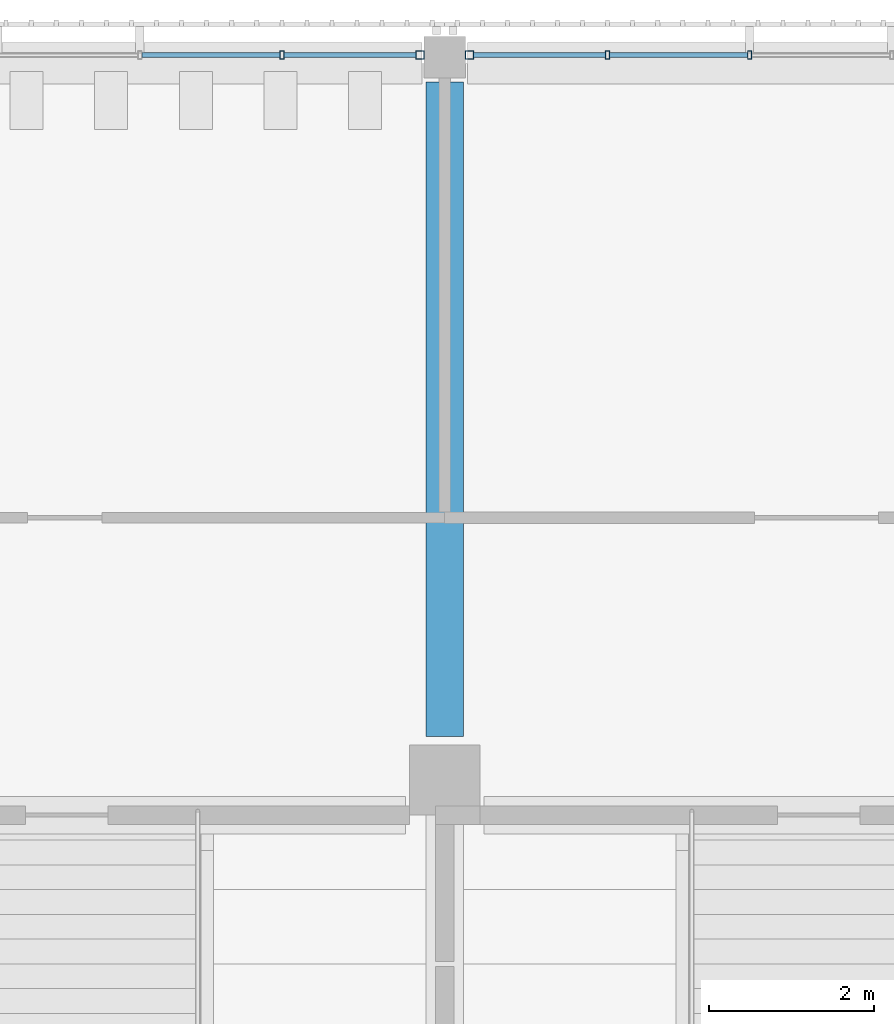
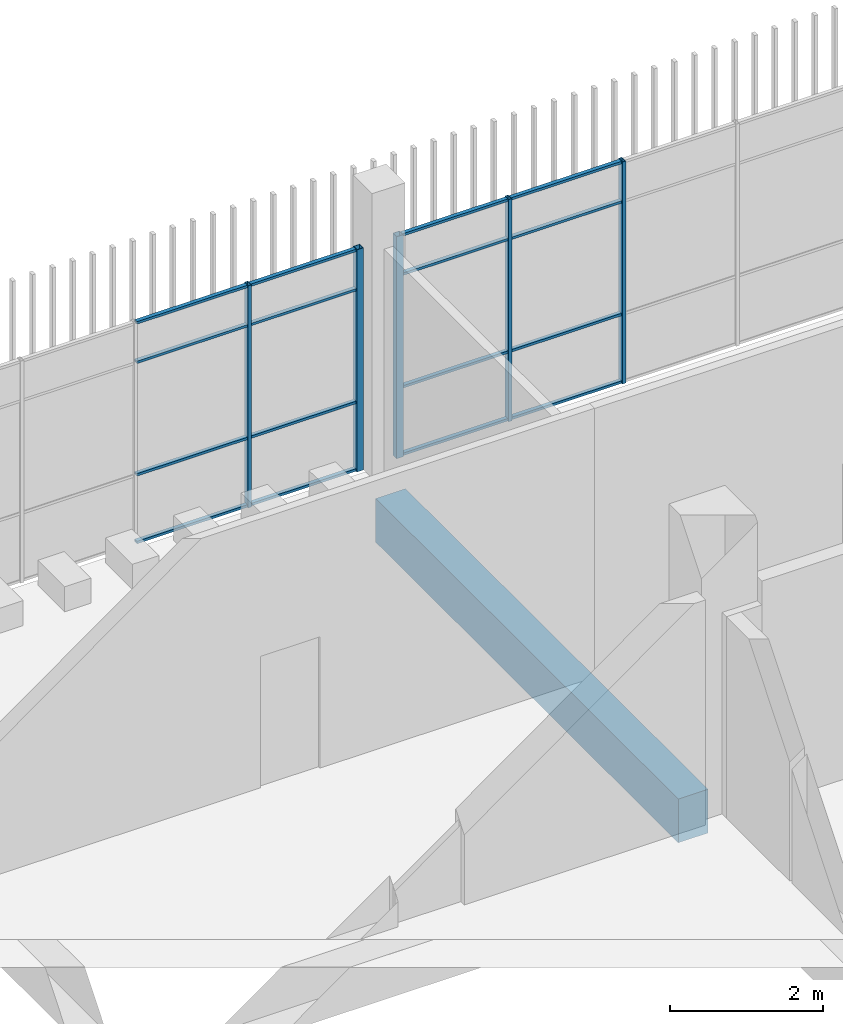
# One storey, part 48 of 139: 21 members, 1 beam, 2 elements without a shape of their own.
"""IFC4 building model written with IfcOpenShell, lengths in metres."""

from ifc_helpers import new_model, si_unit, direction, frame, origin, origin_2d, place, context, subcontext, project, spatial, rectangle, hollow_rectangle, extrude, material, layer, layer_set, material_profile, profile_set, type_object, element, aggregate, save


model = new_model("IFC4")

# Units and contexts
model_context = context("Model", 3, precision=1e-05, world=origin(), true_north=direction((0.0, 1.0)))
body_context = subcontext(model_context, "Body", "Model", "MODEL_VIEW")
ifc_project = project(units=[si_unit("LENGTHUNIT", "METRE"), si_unit("AREAUNIT", "SQUARE_METRE"), si_unit("VOLUMEUNIT", "CUBIC_METRE"), si_unit("PLANEANGLEUNIT", "RADIAN"), si_unit("MASSUNIT", "GRAM", prefix="KILO")], contexts=[model_context])

# Site, building, storey
site_placement = place(None, origin())
site = spatial("IfcSite", under=ifc_project, at=site_placement, CompositionType="ELEMENT")
building_placement = place(site_placement, origin())
building = spatial("IfcBuilding", under=site, at=building_placement, Name="Shirokan Park Arena", CompositionType="ELEMENT")
storey_placement = place(building_placement, frame((0.0, 0.0, 15.469970703125)))
storey = spatial("IfcBuildingStorey", under=building, at=storey_placement, Name="L03", CompositionType="ELEMENT", Elevation=15.469970703125)

# Curtain wall, member
ifc_material_1 = material(Name="Steel and glass curtain wall", Category="steel")
ifc_layer = layer(ifc_material_1, 0.10009765625)
ifc_layer_set = layer_set([ifc_layer], Name="Steel and glass curtain wall 100 mm")
curtain_wall_type = type_object("IfcCurtainWallType", Name="Curtain wall sheltered bay 100", PredefinedType="NOTDEFINED", material=ifc_layer_set)
curtain_wall_1_placement = place(storey_placement, origin())
curtain_wall_1 = element("IfcCurtainWall", 1, at=curtain_wall_1_placement, inside=storey, type_object=curtain_wall_type, Name="Curtain wall north bay 6 L03", PredefinedType="NOTDEFINED")
ifc_material_2 = material(Name="Steel S355", Category="steel")
ifc_material_profile_1 = material_profile(ifc_material_2, hollow_rectangle(XDim=0.10009765625, YDim=0.10009765625, WallThickness=0.006103515625, at=origin_2d()), Name="RHS 100x100x6")
ifc_profile_set_1 = profile_set([ifc_material_profile_1], Name="Steel S355")
member_type_1 = type_object("IfcMemberType", Name="Mullion RHS 100x100x6", PredefinedType="MULLION", material=ifc_profile_set_1)
member_1_placement = place(storey_placement, frame((91.300048828125, 109.300048828125, 0.0), z_axis=(0.0, 0.0, 1.0), x_axis=(0.0, -1.0, 0.0)))
member_1 = element("IfcMember", 2, at=member_1_placement, type_object=member_type_1, Name="CW2 mullion 6", PredefinedType="MULLION", context=body_context, shape_type="SweptSolid", body=[
    extrude(hollow_rectangle(XDim=0.10009765625, YDim=0.10009765625, WallThickness=0.006103515625, at=origin_2d()), origin(), (0.0, 0.0, 1.0), 3.550048828125),
])

curtain_wall_2_placement = place(storey_placement, origin())
curtain_wall_2 = element("IfcCurtainWall", 3, at=curtain_wall_2_placement, inside=storey, type_object=curtain_wall_type, Name="Curtain wall north bay 7 L03", PredefinedType="NOTDEFINED")
member_2_placement = place(storey_placement, frame((90.699951171875, 109.300048828125, 0.0), z_axis=(0.0, 0.0, 1.0), x_axis=(0.0, -1.0, 0.0)))
member_2 = element("IfcMember", 4, at=member_2_placement, type_object=member_type_1, Name="CW2 mullion 1", PredefinedType="MULLION", context=body_context, shape_type="SweptSolid", body=[
    extrude(hollow_rectangle(XDim=0.10009765625, YDim=0.10009765625, WallThickness=0.006103515625, at=origin_2d()), origin(), (0.0, 0.0, 1.0), 3.550048828125),
])

# Member
ifc_material_profile_2 = material_profile(ifc_material_2, hollow_rectangle(XDim=0.10009765625, YDim=0.050048828125, WallThickness=0.0048828125, at=origin_2d()), Name="RHS 100x50x5")
ifc_profile_set_2 = profile_set([ifc_material_profile_2], Name="Steel S355")
member_type_2 = type_object("IfcMemberType", Name="Mullion RHS 100x50x5", PredefinedType="MULLION", material=ifc_profile_set_2)
member_3_placement = place(storey_placement, frame((94.68994140625, 109.300048828125, 0.0), z_axis=(0.0, 0.0, 1.0), x_axis=(0.0, -1.0, 0.0)))
member_3 = element("IfcMember", 5, at=member_3_placement, type_object=member_type_2, Name="CW2 mullion 4", PredefinedType="MULLION", context=body_context, shape_type="SweptSolid", body=[
    extrude(hollow_rectangle(XDim=0.10009765625, YDim=0.050048828125, WallThickness=0.0048828125, at=origin_2d()), origin(), (0.0, 0.0, 1.0), 3.550048828125),
])

member_4_placement = place(storey_placement, frame((92.969970703125, 109.300048828125, 0.0), z_axis=(0.0, 0.0, 1.0), x_axis=(0.0, -1.0, 0.0)))
member_4 = element("IfcMember", 6, at=member_4_placement, type_object=member_type_2, Name="CW2 mullion 5", PredefinedType="MULLION", context=body_context, shape_type="SweptSolid", body=[
    extrude(hollow_rectangle(XDim=0.10009765625, YDim=0.050048828125, WallThickness=0.0048828125, at=origin_2d()), origin(), (0.0, 0.0, 1.0), 3.550048828125),
])

member_5_placement = place(storey_placement, frame((89.030029296875, 109.300048828125, 0.0), z_axis=(0.0, 0.0, 1.0), x_axis=(0.0, -1.0, 0.0)))
member_5 = element("IfcMember", 7, at=member_5_placement, type_object=member_type_2, Name="CW2 mullion 2", PredefinedType="MULLION", context=body_context, shape_type="SweptSolid", body=[
    extrude(hollow_rectangle(XDim=0.10009765625, YDim=0.050048828125, WallThickness=0.0048828125, at=origin_2d()), origin(), (0.0, 0.0, 1.0), 3.550048828125),
])

# Beam
ifc_material_3 = material(Name="Concrete C35", Category="concrete")
ifc_material_profile_3 = material_profile(ifc_material_3, rectangle(XDim=0.449951171875, YDim=0.699951171875, at=origin_2d()), Name="450x700")
ifc_profile_set_3 = profile_set([ifc_material_profile_3], Name="Concrete C35")
beam_type = type_object("IfcBeamType", Name="RC girder 450x700", PredefinedType="BEAM", material=ifc_profile_set_3)
beam_placement = place(storey_placement, frame((91.0, 101.050048828125, -0.64990234375), z_axis=(0.0, 1.0, 0.0), x_axis=(-1.0, 0.0, 0.0)))
element("IfcBeam", 8, at=beam_placement, inside=storey, type_object=beam_type, Name="Girder 11M-11N L03", PredefinedType="BEAM", context=body_context, shape_type="SweptSolid", body=[
    extrude(rectangle(XDim=0.449951171875, YDim=0.699951171875, at=origin_2d()), origin(), (0.0, 0.0, 1.0), 7.9248046875),
])

# Member
ifc_material_profile_4 = material_profile(ifc_material_2, hollow_rectangle(XDim=0.06005859375, YDim=0.0400390625, WallThickness=0.00390625, at=origin_2d()), Name="RHS 60x40x4")
ifc_profile_set_4 = profile_set([ifc_material_profile_4], Name="Steel S355")
member_type_3 = type_object("IfcMemberType", Name="Transom RHS 60x40x4", PredefinedType="MULLION", material=ifc_profile_set_4)
member_6_placement = place(storey_placement, frame((94.6650390625, 109.300048828125, 0.02001953125), z_axis=(-1.0, 0.0, 0.0), x_axis=(0.0, -1.0, 0.0)))
member_6 = element("IfcMember", 9, at=member_6_placement, type_object=member_type_3, Name="CW2 transom 4.1", PredefinedType="MULLION", context=body_context, shape_type="SweptSolid", body=[
    extrude(hollow_rectangle(XDim=0.06005859375, YDim=0.0400390625, WallThickness=0.00390625, at=origin_2d()), origin(), (0.0, 0.0, 1.0), 1.669921875),
])

member_7_placement = place(storey_placement, frame((94.6650390625, 109.300048828125, 1.10009765625), z_axis=(-1.0, 0.0, 0.0), x_axis=(0.0, -1.0, 0.0)))
member_7 = element("IfcMember", 10, at=member_7_placement, type_object=member_type_3, Name="CW2 transom 4.2", PredefinedType="MULLION", context=body_context, shape_type="SweptSolid", body=[
    extrude(hollow_rectangle(XDim=0.06005859375, YDim=0.0400390625, WallThickness=0.00390625, at=origin_2d()), origin(), (0.0, 0.0, 1.0), 1.669921875),
])

member_8_placement = place(storey_placement, frame((94.6650390625, 109.300048828125, 2.900146484375), z_axis=(-1.0, 0.0, 0.0), x_axis=(0.0, -1.0, 0.0)))
member_8 = element("IfcMember", 11, at=member_8_placement, type_object=member_type_3, Name="CW2 transom 4.3", PredefinedType="MULLION", context=body_context, shape_type="SweptSolid", body=[
    extrude(hollow_rectangle(XDim=0.06005859375, YDim=0.0400390625, WallThickness=0.00390625, at=origin_2d()), origin(), (0.0, 0.0, 1.0), 1.669921875),
])

member_9_placement = place(storey_placement, frame((94.6650390625, 109.300048828125, 3.530029296875), z_axis=(-1.0, 0.0, 0.0), x_axis=(0.0, -1.0, 0.0)))
member_9 = element("IfcMember", 12, at=member_9_placement, type_object=member_type_3, Name="CW2 transom 4.4", PredefinedType="MULLION", context=body_context, shape_type="SweptSolid", body=[
    extrude(hollow_rectangle(XDim=0.06005859375, YDim=0.0400390625, WallThickness=0.00390625, at=origin_2d()), origin(), (0.0, 0.0, 1.0), 1.669921875),
])

member_10_placement = place(storey_placement, frame((92.945068359375, 109.300048828125, 0.02001953125), z_axis=(-1.0, 0.0, 0.0), x_axis=(0.0, -1.0, 0.0)))
member_10 = element("IfcMember", 13, at=member_10_placement, type_object=member_type_3, Name="CW2 transom 5.1", PredefinedType="MULLION", context=body_context, shape_type="SweptSolid", body=[
    extrude(hollow_rectangle(XDim=0.06005859375, YDim=0.0400390625, WallThickness=0.00390625, at=origin_2d()), origin(), (0.0, 0.0, 1.0), 1.594970703125),
])

member_11_placement = place(storey_placement, frame((92.945068359375, 109.300048828125, 1.10009765625), z_axis=(-1.0, 0.0, 0.0), x_axis=(0.0, -1.0, 0.0)))
member_11 = element("IfcMember", 14, at=member_11_placement, type_object=member_type_3, Name="CW2 transom 5.2", PredefinedType="MULLION", context=body_context, shape_type="SweptSolid", body=[
    extrude(hollow_rectangle(XDim=0.06005859375, YDim=0.0400390625, WallThickness=0.00390625, at=origin_2d()), origin(), (0.0, 0.0, 1.0), 1.594970703125),
])

member_12_placement = place(storey_placement, frame((92.945068359375, 109.300048828125, 2.900146484375), z_axis=(-1.0, 0.0, 0.0), x_axis=(0.0, -1.0, 0.0)))
member_12 = element("IfcMember", 15, at=member_12_placement, type_object=member_type_3, Name="CW2 transom 5.3", PredefinedType="MULLION", context=body_context, shape_type="SweptSolid", body=[
    extrude(hollow_rectangle(XDim=0.06005859375, YDim=0.0400390625, WallThickness=0.00390625, at=origin_2d()), origin(), (0.0, 0.0, 1.0), 1.594970703125),
])

member_13_placement = place(storey_placement, frame((92.945068359375, 109.300048828125, 3.530029296875), z_axis=(-1.0, 0.0, 0.0), x_axis=(0.0, -1.0, 0.0)))
member_13 = element("IfcMember", 16, at=member_13_placement, type_object=member_type_3, Name="CW2 transom 5.4", PredefinedType="MULLION", context=body_context, shape_type="SweptSolid", body=[
    extrude(hollow_rectangle(XDim=0.06005859375, YDim=0.0400390625, WallThickness=0.00390625, at=origin_2d()), origin(), (0.0, 0.0, 1.0), 1.594970703125),
])

aggregate(curtain_wall_1, [member_3, member_4, member_1, member_6, member_7, member_8, member_9, member_10, member_11, member_12, member_13])

member_14_placement = place(storey_placement, frame((90.64990234375, 109.300048828125, 0.02001953125), z_axis=(-1.0, 0.0, 0.0), x_axis=(0.0, -1.0, 0.0)))
member_14 = element("IfcMember", 17, at=member_14_placement, type_object=member_type_3, Name="CW2 transom 1.1", PredefinedType="MULLION", context=body_context, shape_type="SweptSolid", body=[
    extrude(hollow_rectangle(XDim=0.06005859375, YDim=0.0400390625, WallThickness=0.00390625, at=origin_2d()), origin(), (0.0, 0.0, 1.0), 1.594970703125),
])

member_15_placement = place(storey_placement, frame((90.64990234375, 109.300048828125, 1.10009765625), z_axis=(-1.0, 0.0, 0.0), x_axis=(0.0, -1.0, 0.0)))
member_15 = element("IfcMember", 18, at=member_15_placement, type_object=member_type_3, Name="CW2 transom 1.2", PredefinedType="MULLION", context=body_context, shape_type="SweptSolid", body=[
    extrude(hollow_rectangle(XDim=0.06005859375, YDim=0.0400390625, WallThickness=0.00390625, at=origin_2d()), origin(), (0.0, 0.0, 1.0), 1.594970703125),
])

member_16_placement = place(storey_placement, frame((90.64990234375, 109.300048828125, 2.900146484375), z_axis=(-1.0, 0.0, 0.0), x_axis=(0.0, -1.0, 0.0)))
member_16 = element("IfcMember", 19, at=member_16_placement, type_object=member_type_3, Name="CW2 transom 1.3", PredefinedType="MULLION", context=body_context, shape_type="SweptSolid", body=[
    extrude(hollow_rectangle(XDim=0.06005859375, YDim=0.0400390625, WallThickness=0.00390625, at=origin_2d()), origin(), (0.0, 0.0, 1.0), 1.594970703125),
])

member_17_placement = place(storey_placement, frame((90.64990234375, 109.300048828125, 3.530029296875), z_axis=(-1.0, 0.0, 0.0), x_axis=(0.0, -1.0, 0.0)))
member_17 = element("IfcMember", 20, at=member_17_placement, type_object=member_type_3, Name="CW2 transom 1.4", PredefinedType="MULLION", context=body_context, shape_type="SweptSolid", body=[
    extrude(hollow_rectangle(XDim=0.06005859375, YDim=0.0400390625, WallThickness=0.00390625, at=origin_2d()), origin(), (0.0, 0.0, 1.0), 1.594970703125),
])

member_18_placement = place(storey_placement, frame((89.0048828125, 109.300048828125, 0.02001953125), z_axis=(-1.0, 0.0, 0.0), x_axis=(0.0, -1.0, 0.0)))
member_18 = element("IfcMember", 21, at=member_18_placement, type_object=member_type_3, Name="CW2 transom 2.1", PredefinedType="MULLION", context=body_context, shape_type="SweptSolid", body=[
    extrude(hollow_rectangle(XDim=0.06005859375, YDim=0.0400390625, WallThickness=0.00390625, at=origin_2d()), origin(), (0.0, 0.0, 1.0), 1.669921875),
])

member_19_placement = place(storey_placement, frame((89.0048828125, 109.300048828125, 1.10009765625), z_axis=(-1.0, 0.0, 0.0), x_axis=(0.0, -1.0, 0.0)))
member_19 = element("IfcMember", 22, at=member_19_placement, type_object=member_type_3, Name="CW2 transom 2.2", PredefinedType="MULLION", context=body_context, shape_type="SweptSolid", body=[
    extrude(hollow_rectangle(XDim=0.06005859375, YDim=0.0400390625, WallThickness=0.00390625, at=origin_2d()), origin(), (0.0, 0.0, 1.0), 1.669921875),
])

member_20_placement = place(storey_placement, frame((89.0048828125, 109.300048828125, 2.900146484375), z_axis=(-1.0, 0.0, 0.0), x_axis=(0.0, -1.0, 0.0)))
member_20 = element("IfcMember", 23, at=member_20_placement, type_object=member_type_3, Name="CW2 transom 2.3", PredefinedType="MULLION", context=body_context, shape_type="SweptSolid", body=[
    extrude(hollow_rectangle(XDim=0.06005859375, YDim=0.0400390625, WallThickness=0.00390625, at=origin_2d()), origin(), (0.0, 0.0, 1.0), 1.669921875),
])

member_21_placement = place(storey_placement, frame((89.0048828125, 109.300048828125, 3.530029296875), z_axis=(-1.0, 0.0, 0.0), x_axis=(0.0, -1.0, 0.0)))
member_21 = element("IfcMember", 24, at=member_21_placement, type_object=member_type_3, Name="CW2 transom 2.4", PredefinedType="MULLION", context=body_context, shape_type="SweptSolid", body=[
    extrude(hollow_rectangle(XDim=0.06005859375, YDim=0.0400390625, WallThickness=0.00390625, at=origin_2d()), origin(), (0.0, 0.0, 1.0), 1.669921875),
])

aggregate(curtain_wall_2, [member_2, member_5, member_14, member_15, member_16, member_17, member_18, member_19, member_20, member_21])

save(model, "model.ifc")
